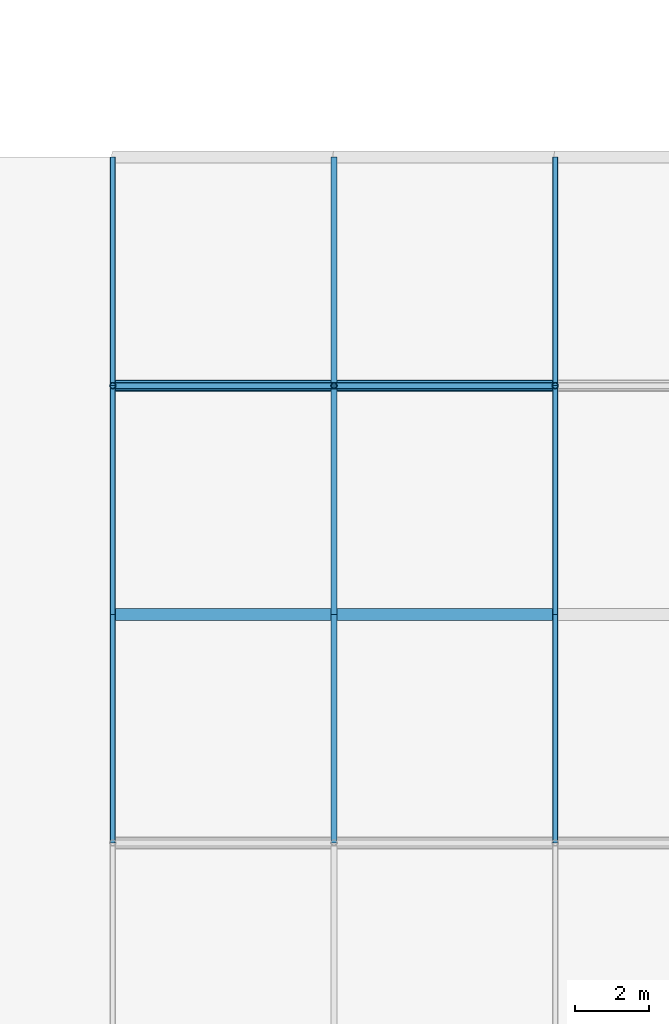
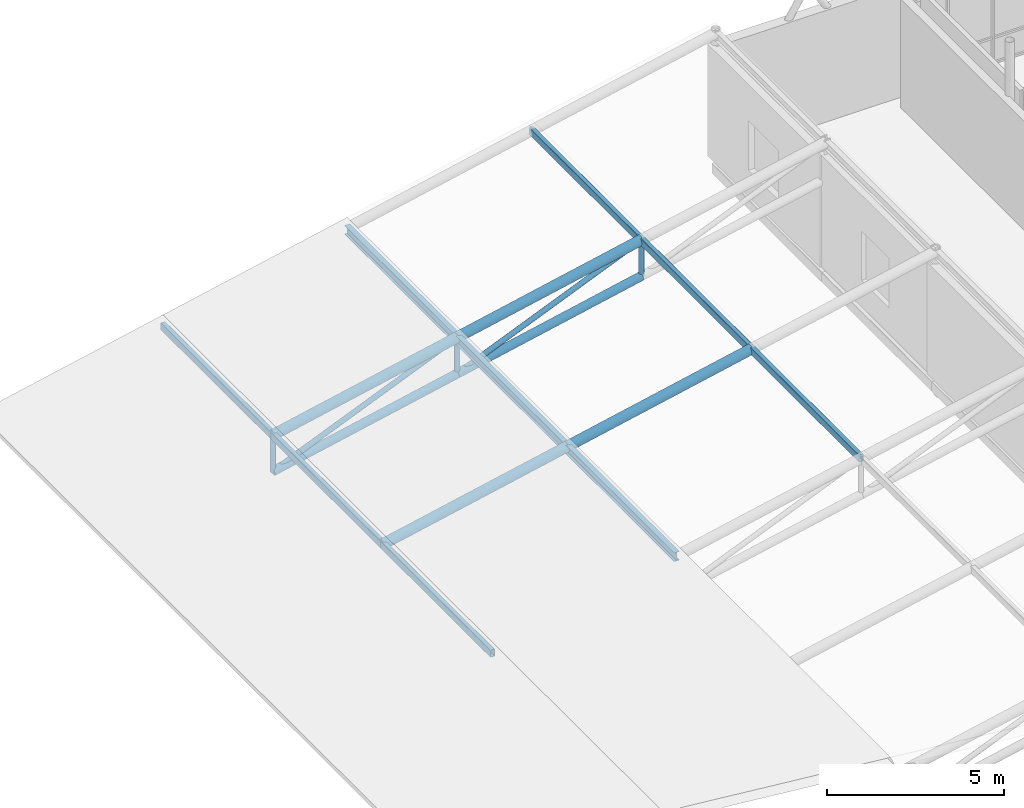
# One storey, part 24 of 66: 20 members.
"""IFC4 building model written with IfcOpenShell, lengths in metres."""

import ifcopenshell
import ifcopenshell.guid

model = None  # the IFC model being written
_history = None  # IfcOwnerHistory: only IFC2X3 demands one
_inside = {}  # id of a spatial element -> (the spatial element, [elements in it])
_under = {}  # id of a project, library or spatial element -> (it, [spatial elements below it])
_declared = {}  # id of a project -> (the project, [libraries it declares])
_typed = {}  # id of a type object -> (the type object, [elements of that type])
_made_of = {}  # id of a material, layer set ... -> (it, [elements and type objects made of it])


def new_model(schema):
    """Start an empty IFC model of exactly this schema.

    Asked for "IFC4X3", IfcOpenShell would pick the latest addendum, in which some entities
    have other attributes; the version numbers below select the first issue.
    IFC2X3 requires an IfcOwnerHistory on every rooted entity: one is made here for all.
    """
    global model, _history
    if schema == "IFC4X3":
        model = ifcopenshell.file(schema_version=(4, 3, 0, 0))
    else:
        model = ifcopenshell.file(schema=schema)
    _inside.clear()
    _under.clear()
    _declared.clear()
    _typed.clear()
    _made_of.clear()
    _history = None
    if model.schema == "IFC2X3":
        org = make("IfcOrganization", Name="unknown")
        user = make(
            "IfcPersonAndOrganization",
            ThePerson=make("IfcPerson", FamilyName="unknown"),
            TheOrganization=org,
        )
        app = make(
            "IfcApplication",
            ApplicationDeveloper=org,
            Version="unknown",
            ApplicationFullName="unknown",
            ApplicationIdentifier="unknown",
        )
        _history = make(
            "IfcOwnerHistory",
            OwningUser=user,
            OwningApplication=app,
            ChangeAction="ADDED",
            CreationDate=0,
        )
    return model


def make(cls, **values):
    """One entity of the class cls with the attributes given. An attribute that is None is left unset."""
    return model.create_entity(
        cls, **{name: value for name, value in values.items() if value is not None}
    )


def rooted(cls, **values):
    """An entity with a GlobalId (a new one), such as an element, a storey or a relation."""
    return make(cls, GlobalId=ifcopenshell.guid.new(), OwnerHistory=_history, **values)


def si_unit(unit_type, name, prefix=None):
    """IfcSIUnit, for example si_unit("LENGTHUNIT", "METRE", prefix="MILLI")."""
    return make("IfcSIUnit", UnitType=unit_type, Prefix=prefix, Name=name)


def assignment(units):
    """IfcUnitAssignment: the units of a project."""
    return None if units is None else make("IfcUnitAssignment", Units=units)


def point(xyz):
    """IfcCartesianPoint."""
    return None if xyz is None else make("IfcCartesianPoint", Coordinates=xyz)


def direction(xyz):
    """IfcDirection."""
    return None if xyz is None else make("IfcDirection", DirectionRatios=xyz)


def frame(location, z_axis=None, x_axis=None):
    """IfcAxis2Placement3D, a coordinate frame: its origin and axes. An axis left out is left unset."""
    return make(
        "IfcAxis2Placement3D",
        Location=point(location),
        Axis=direction(z_axis),
        RefDirection=direction(x_axis),
    )


def frame_2d(location, x_axis=None):
    """IfcAxis2Placement2D, a coordinate frame in the plane: its origin and x axis."""
    return make(
        "IfcAxis2Placement2D", Location=point(location), RefDirection=direction(x_axis)
    )


def origin():
    """The frame at (0, 0, 0) with its axes left unset."""
    return frame((0.0, 0.0, 0.0))


def origin_2d():
    """The frame at (0, 0) in the plane with its x axis left unset."""
    return frame_2d((0.0, 0.0))


def place(relative_to, where):
    """IfcLocalPlacement: puts the frame where relative to a parent placement (None: the world)."""
    return make(
        "IfcLocalPlacement", PlacementRelTo=relative_to, RelativePlacement=where
    )


def context(
    kind, dimensions, precision=None, world=None, true_north=None, identifier=None
):
    """IfcGeometricRepresentationContext, for example the 3D "Model" context."""
    return make(
        "IfcGeometricRepresentationContext",
        ContextIdentifier=identifier,
        ContextType=kind,
        CoordinateSpaceDimension=dimensions,
        Precision=precision,
        WorldCoordinateSystem=world,
        TrueNorth=true_north,
    )


def subcontext(parent, identifier, kind, view, scale=None):
    """IfcGeometricRepresentationSubContext, for example "Body" below "Model"."""
    return make(
        "IfcGeometricRepresentationSubContext",
        ContextIdentifier=identifier,
        ContextType=kind,
        ParentContext=parent,
        TargetScale=scale,
        TargetView=view,
    )


def project(units=None, contexts=None):
    """IfcProject with its units and contexts."""
    return rooted(
        "IfcProject",
        Name="project",
        RepresentationContexts=contexts,
        UnitsInContext=assignment(units),
    )


def spatial(cls, under=None, at=None, **own):
    """A site, building, storey or space (cls), placed at a placement, below another one or the project."""
    s = rooted(cls, ObjectPlacement=at, **own)
    if under is not None:
        _under.setdefault(under.id(), (under, []))[1].append(s)
    return s


def profile(cls, at=None, kind="AREA", **sizes):
    """A parametric profile (cls). Its sizes go by their IFC names, for example OverallWidth=200.0."""
    return make(cls, ProfileType=kind, Position=at, **sizes)


def hollow_rectangle(**sizes):
    """IfcRectangleHollowProfileDef."""
    return profile("IfcRectangleHollowProfileDef", **sizes)


def hollow_circle(**sizes):
    """IfcCircleHollowProfileDef."""
    return profile("IfcCircleHollowProfileDef", **sizes)


def i_section(**sizes):
    """IfcIShapeProfileDef."""
    return profile("IfcIShapeProfileDef", **sizes)


def extrude(swept, where, along, depth):
    """IfcExtrudedAreaSolid: the profile swept, set in the frame where, extruded along a direction by depth."""
    return make(
        "IfcExtrudedAreaSolid",
        SweptArea=swept,
        Position=where,
        ExtrudedDirection=direction(along),
        Depth=depth,
    )


def shape(context_of_items, identifier, shape_type, items):
    """IfcShapeRepresentation: the items that make up one representation, for example the "Body"."""
    return make(
        "IfcShapeRepresentation",
        ContextOfItems=context_of_items,
        RepresentationIdentifier=identifier,
        RepresentationType=shape_type,
        Items=items,
    )


def material(Name=None, Category=None):
    """IfcMaterial."""
    return make("IfcMaterial", Name=Name, Category=Category)


def material_profile(
    of_material, cross_section, Name=None, Category=None, Priority=None
):
    """IfcMaterialProfile: a cross section and its material."""
    return make(
        "IfcMaterialProfile",
        Name=Name,
        Material=of_material,
        Profile=cross_section,
        Priority=Priority,
        Category=Category,
    )


def profile_set(profiles, Name=None, composite=None):
    """IfcMaterialProfileSet."""
    return make(
        "IfcMaterialProfileSet",
        Name=Name,
        MaterialProfiles=profiles,
        CompositeProfile=composite,
    )


def made_of(thing, what):
    """Note that an element or type object is made of a material, layer set ...; save() writes the relation."""
    if what is not None:
        _made_of.setdefault(what.id(), (what, []))[1].append(thing)
    return thing


def type_object(cls, material=None, **own):
    """A type object (cls), such as IfcWallType, which elements share."""
    return made_of(rooted(cls, **own), material)


def element(
    cls,
    number,
    at=None,
    inside=None,
    cuts=None,
    type_object=None,
    material=None,
    context=None,
    identifier="Body",
    shape_type=None,
    held_by="IfcProductDefinitionShape",
    body=None,
    shapes=None,
    **own,
):
    """One element of the class cls, such as IfcWall. Its Tag is "e" and its number.

    at: its placement. inside: the storey or other place that contains it. cuts: it is an
    opening in that element (IfcRelVoidsElement). A single representation is given by context,
    identifier, shape_type and body (its items); several are given by shapes. held_by: the class
    of the entity that holds the representations. save() writes the other relations.
    """
    e = rooted(cls, Tag="e%d" % number, ObjectPlacement=at, **own)
    if body is not None:
        shapes = [shape(context, identifier, shape_type, body)]
    if shapes is not None:
        e.Representation = make(held_by, Representations=shapes)
    if inside is not None:
        _inside.setdefault(inside.id(), (inside, []))[1].append(e)
    if cuts is not None:
        rooted(
            "IfcRelVoidsElement", RelatingBuildingElement=cuts, RelatedOpeningElement=e
        )
    if type_object is not None:
        _typed.setdefault(type_object.id(), (type_object, []))[1].append(e)
    return made_of(e, material)


def aggregate(whole, parts):
    """IfcRelAggregates: a whole, such as a stair, and the parts it consists of."""
    return rooted("IfcRelAggregates", RelatingObject=whole, RelatedObjects=parts)


def save(model, path):
    """Write the relations noted so far, then the file.

    IfcRelAggregates (storeys below a building ...), IfcRelContainedInSpatialStructure (elements
    in a storey), IfcRelDefinesByType, IfcRelAssociatesMaterial and IfcRelDeclares: one each for
    every whole, place, type object, material and project.
    """
    for whole, parts in _under.values():
        aggregate(whole, parts)
    for where, things in _inside.values():
        rooted(
            "IfcRelContainedInSpatialStructure",
            RelatedElements=things,
            RelatingStructure=where,
        )
    for kind, things in _typed.values():
        rooted("IfcRelDefinesByType", RelatedObjects=things, RelatingType=kind)
    for what, things in _made_of.values():
        rooted("IfcRelAssociatesMaterial", RelatedObjects=things, RelatingMaterial=what)
    for by, libraries in _declared.values():
        rooted("IfcRelDeclares", RelatingContext=by, RelatedDefinitions=libraries)
    model.write(path)


model = new_model("IFC4")

# Units and contexts
model_context = context("Model", 3, precision=1e-05, world=origin(), true_north=direction((0.0, 1.0)))
body_context = subcontext(model_context, "Body", "Model", "MODEL_VIEW")
ifc_project = project(units=[si_unit("LENGTHUNIT", "METRE"), si_unit("AREAUNIT", "SQUARE_METRE"), si_unit("VOLUMEUNIT", "CUBIC_METRE"), si_unit("PLANEANGLEUNIT", "RADIAN"), si_unit("MASSUNIT", "GRAM", prefix="KILO")], contexts=[model_context])

# Site, building, storey
site_placement = place(None, origin())
site = spatial("IfcSite", under=ifc_project, at=site_placement, CompositionType="ELEMENT")
building_placement = place(site_placement, origin())
building = spatial("IfcBuilding", under=site, at=building_placement, Name="Mirzam Square Science Centre", CompositionType="ELEMENT")
storey_placement = place(building_placement, frame((0.0, 0.0, 15.60009765625)))
storey = spatial("IfcBuildingStorey", under=building, at=storey_placement, Name="L03", CompositionType="ELEMENT", Elevation=15.60009765625)

# Members
ifc_material = material(Name="Steel S355", Category="steel")
ifc_material_profile_1 = material_profile(ifc_material, hollow_circle(Radius=0.084228515625, WallThickness=0.008056640625, at=origin_2d()), Name="168.3x8.0CHS")
ifc_profile_set_1 = profile_set([ifc_material_profile_1], Name="Steel S355")
member_type_1 = type_object("IfcMemberType", Name="BR-CHS168", PredefinedType="BRACE", material=ifc_profile_set_1)
member_1_placement = place(storey_placement, frame((18.0, 74.39990234375, -0.845703125), z_axis=(0.922529582988, 0.0, 0.385926377063), x_axis=(0.0, 1.0, 0.0)))
element("IfcMember", 1, at=member_1_placement, inside=storey, type_object=member_type_1, Name="Wedge truss web diagonal Y13 bay 4", PredefinedType="BRACE", context=body_context, shape_type="SweptSolid", body=[
    extrude(hollow_circle(Radius=0.084228515625, WallThickness=0.008056640625, at=origin_2d()), origin(), (0.0, 0.0, 1.0), 6.50390625),
])
member_2_placement = place(storey_placement, frame((18.0, 74.39990234375, -0.845703125), z_axis=(0.0, 0.0, 1.0), x_axis=(1.0, 0.0, 0.0)))
element("IfcMember", 2, at=member_2_placement, inside=storey, type_object=member_type_1, Name="Wedge truss post Y13 bay 4", PredefinedType="BRACE", context=body_context, shape_type="SweptSolid", body=[
    extrude(hollow_circle(Radius=0.084228515625, WallThickness=0.008056640625, at=origin_2d()), origin(), (0.0, 0.0, 1.0), 1.25),
])
member_3_placement = place(storey_placement, frame((24.0, 74.39990234375, 0.414306640625), z_axis=(0.922529582988, 0.0, 0.385926377063), x_axis=(0.0, 1.0, 0.0)))
element("IfcMember", 3, at=member_3_placement, inside=storey, type_object=member_type_1, Name="Wedge truss web diagonal Y13 bay 5", PredefinedType="BRACE", context=body_context, shape_type="SweptSolid", body=[
    extrude(hollow_circle(Radius=0.084228515625, WallThickness=0.008056640625, at=origin_2d()), origin(), (0.0, 0.0, 1.0), 6.50390625),
])
for number, where, z_axis, x_axis, name in (
    (4, (24.0, 74.39990234375, 0.414306640625), (0.0, 0.0, 1.0), (1.0, 0.0, 0.0), "Wedge truss post Y13 bay 5"),
    (5, (30.0, 74.39990234375, 1.67431640625), (0.0, 0.0, 1.0), (1.0, 0.0, 0.0), "Wedge truss post Y13 bay 6"),
):
    element("IfcMember", number, at=place(storey_placement, frame(where, z_axis=z_axis, x_axis=x_axis)), inside=storey, type_object=member_type_1, Name=name, PredefinedType="BRACE", context=body_context, shape_type="SweptSolid", body=[
        extrude(hollow_circle(Radius=0.084228515625, WallThickness=0.008056640625, at=origin_2d()), origin(), (0.0, 0.0, 1.0), 1.25),
    ])
ifc_material_profile_2 = material_profile(ifc_material, hollow_circle(Radius=0.136474609375, WallThickness=0.010009765625, at=origin_2d()), Name="273.0x10.0CHS")
ifc_profile_set_2 = profile_set([ifc_material_profile_2], Name="Steel S355")
member_type_2 = type_object("IfcMemberType", Name="CH-CHS273", PredefinedType="CHORD", material=ifc_profile_set_2)
for number, where, z_axis, x_axis, name in (
    (6, (18.0, 74.39990234375, -0.845703125), (0.978653176229, 0.0, 0.205518759868), (0.0, 1.0, 0.0), "Wedge truss bottom chord Y13 bay 4"),
    (7, (24.0, 74.39990234375, 0.414306640625), (0.978653176229, 0.0, 0.205518759868), (0.0, 1.0, 0.0), "Wedge truss bottom chord Y13 bay 5"),
):
    element("IfcMember", number, at=place(storey_placement, frame(where, z_axis=z_axis, x_axis=x_axis)), inside=storey, type_object=member_type_2, Name=name, PredefinedType="CHORD", context=body_context, shape_type="SweptSolid", body=[
        extrude(hollow_circle(Radius=0.136474609375, WallThickness=0.010009765625, at=origin_2d()), origin(), (0.0, 0.0, 1.0), 6.130859375),
    ])
ifc_material_profile_3 = material_profile(ifc_material, hollow_circle(Radius=0.161865234375, WallThickness=0.012451171875, at=origin_2d()), Name="323.9x12.5CHS")
ifc_profile_set_3 = profile_set([ifc_material_profile_3], Name="Steel S355")
member_type_3 = type_object("IfcMemberType", Name="CH-CHS324", PredefinedType="CHORD", material=ifc_profile_set_3)
for number, where, z_axis, x_axis, name in (
    (8, (18.0, 68.199951171875, 0.404296875), (0.978653176229, 0.0, 0.205518759868), (0.0, 1.0, 0.0), "Wedge truss top chord Y12 bay 4"),
    (9, (24.0, 68.199951171875, 1.664306640625), (0.978653176229, 0.0, 0.205518759868), (0.0, 1.0, 0.0), "Wedge truss top chord Y12 bay 5"),
    (10, (18.0, 74.39990234375, 0.404296875), (0.978653176229, 0.0, 0.205518759868), (0.0, 1.0, 0.0), "Wedge truss top chord Y13 bay 4"),
    (11, (24.0, 74.39990234375, 1.664306640625), (0.978653176229, 0.0, 0.205518759868), (0.0, 1.0, 0.0), "Wedge truss top chord Y13 bay 5"),
):
    element("IfcMember", number, at=place(storey_placement, frame(where, z_axis=z_axis, x_axis=x_axis)), inside=storey, type_object=member_type_3, Name=name, PredefinedType="CHORD", context=body_context, shape_type="SweptSolid", body=[
        extrude(hollow_circle(Radius=0.161865234375, WallThickness=0.012451171875, at=origin_2d()), origin(), (0.0, 0.0, 1.0), 6.130859375),
    ])
ifc_material_profile_4 = material_profile(ifc_material, hollow_rectangle(XDim=0.14990234375, YDim=0.25, WallThickness=0.010009765625, InnerFilletRadius=0.010009765625, OuterFilletRadius=0.02001953125, at=origin_2d()), Name="250x150x10.0RHS")
ifc_profile_set_4 = profile_set([ifc_material_profile_4], Name="Steel S355")
member_type_4 = type_object("IfcMemberType", Name="RF-RHS250", PredefinedType="RAFTER", material=ifc_profile_set_4)
for number, where, z_axis, x_axis, name in (
    (12, (18.0, 62.0, 0.4072265625), (0.0, 1.0, 0.0), (-1.0, 0.0, 0.0), "Wedge roof rafter X4-11"),
    (13, (30.0, 62.0, 2.92724609375), (0.0, 1.0, 0.0), (-1.0, 0.0, 0.0), "Wedge roof rafter X6-11"),
    (14, (18.0, 68.199951171875, 0.4072265625), (0.0, 1.0, 0.0), (-1.0, 0.0, 0.0), "Wedge roof rafter X4-12"),
    (15, (30.0, 68.199951171875, 2.92724609375), (0.0, 1.0, 0.0), (-1.0, 0.0, 0.0), "Wedge roof rafter X6-12"),
):
    element("IfcMember", number, at=place(storey_placement, frame(where, z_axis=z_axis, x_axis=x_axis)), inside=storey, type_object=member_type_4, Name=name, PredefinedType="RAFTER", context=body_context, shape_type="SweptSolid", body=[
        extrude(hollow_rectangle(XDim=0.14990234375, YDim=0.25, WallThickness=0.010009765625, InnerFilletRadius=0.010009765625, OuterFilletRadius=0.02001953125, at=origin_2d()), origin(), (0.0, 0.0, 1.0), 6.199951171875),
    ])
for number, where, z_axis, x_axis, name in (
    (16, (18.0, 74.39990234375, 0.4072265625), (0.0, 1.0, 0.0), (-1.0, 0.0, 0.0), "Wedge roof rafter X4-13"),
    (17, (30.0, 74.39990234375, 2.92724609375), (0.0, 1.0, 0.0), (-1.0, 0.0, 0.0), "Wedge roof rafter X6-13"),
):
    element("IfcMember", number, at=place(storey_placement, frame(where, z_axis=z_axis, x_axis=x_axis)), inside=storey, type_object=member_type_4, Name=name, PredefinedType="RAFTER", context=body_context, shape_type="SweptSolid", body=[
        extrude(hollow_rectangle(XDim=0.14990234375, YDim=0.25, WallThickness=0.010009765625, InnerFilletRadius=0.010009765625, OuterFilletRadius=0.02001953125, at=origin_2d()), origin(), (0.0, 0.0, 1.0), 6.2001953125),
    ])
ifc_material_profile_5 = material_profile(ifc_material, i_section(OverallWidth=0.165771484375, OverallDepth=0.306640625, WebThickness=0.006591796875, FlangeThickness=0.01171875, FilletRadius=0.0087890625, at=origin_2d()), Name="305x165x46UB")
ifc_profile_set_5 = profile_set([ifc_material_profile_5], Name="Steel S355")
member_type_5 = type_object("IfcMemberType", Name="RF-UB305", PredefinedType="RAFTER", material=ifc_profile_set_5)
for number, where, z_axis, x_axis, name in (
    (18, (24.0, 62.0, 1.63818359375), (0.0, 1.0, 0.0), (-1.0, 0.0, 0.0), "Wedge roof rafter X5-11"),
    (19, (24.0, 68.199951171875, 1.63818359375), (0.0, 1.0, 0.0), (-1.0, 0.0, 0.0), "Wedge roof rafter X5-12"),
):
    element("IfcMember", number, at=place(storey_placement, frame(where, z_axis=z_axis, x_axis=x_axis)), inside=storey, type_object=member_type_5, Name=name, PredefinedType="RAFTER", context=body_context, shape_type="SweptSolid", body=[
        extrude(i_section(OverallWidth=0.165771484375, OverallDepth=0.306640625, WebThickness=0.006591796875, FlangeThickness=0.01171875, FilletRadius=0.0087890625, at=origin_2d()), origin(), (0.0, 0.0, 1.0), 6.199951171875),
    ])
member_4_placement = place(storey_placement, frame((24.0, 74.39990234375, 1.63818359375), z_axis=(0.0, 1.0, 0.0), x_axis=(-1.0, 0.0, 0.0)))
element("IfcMember", 20, at=member_4_placement, inside=storey, type_object=member_type_5, Name="Wedge roof rafter X5-13", PredefinedType="RAFTER", context=body_context, shape_type="SweptSolid", body=[
    extrude(i_section(OverallWidth=0.165771484375, OverallDepth=0.306640625, WebThickness=0.006591796875, FlangeThickness=0.01171875, FilletRadius=0.0087890625, at=origin_2d()), origin(), (0.0, 0.0, 1.0), 6.2001953125),
])

save(model, "model.ifc")
